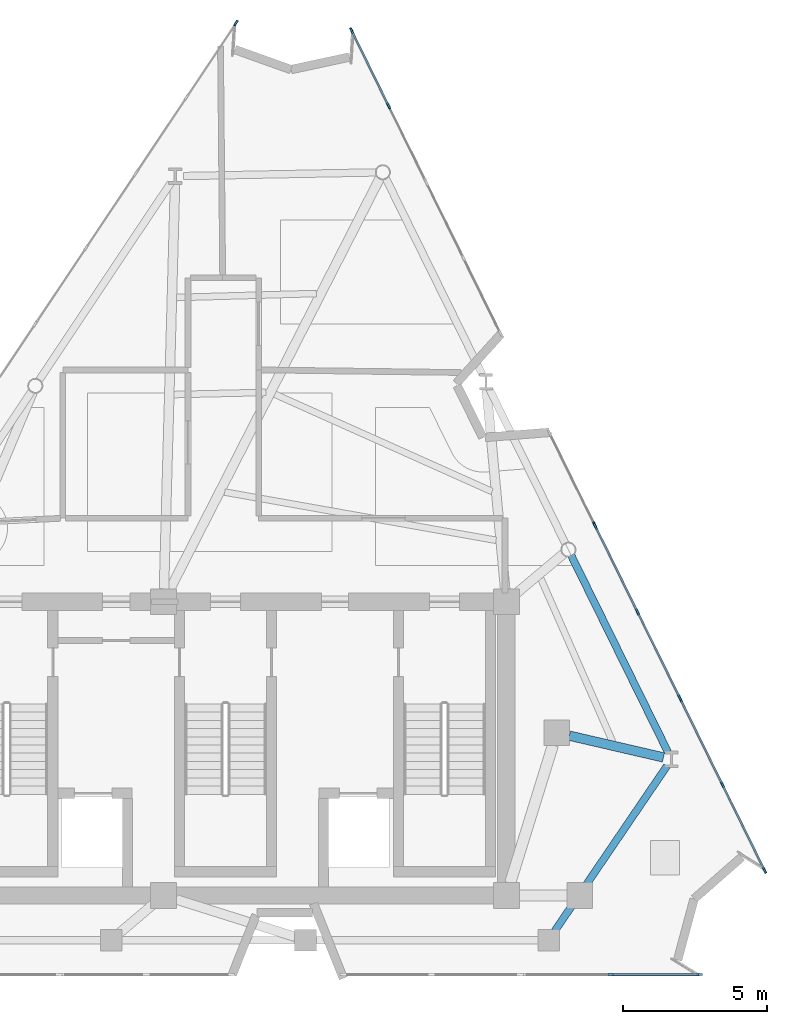
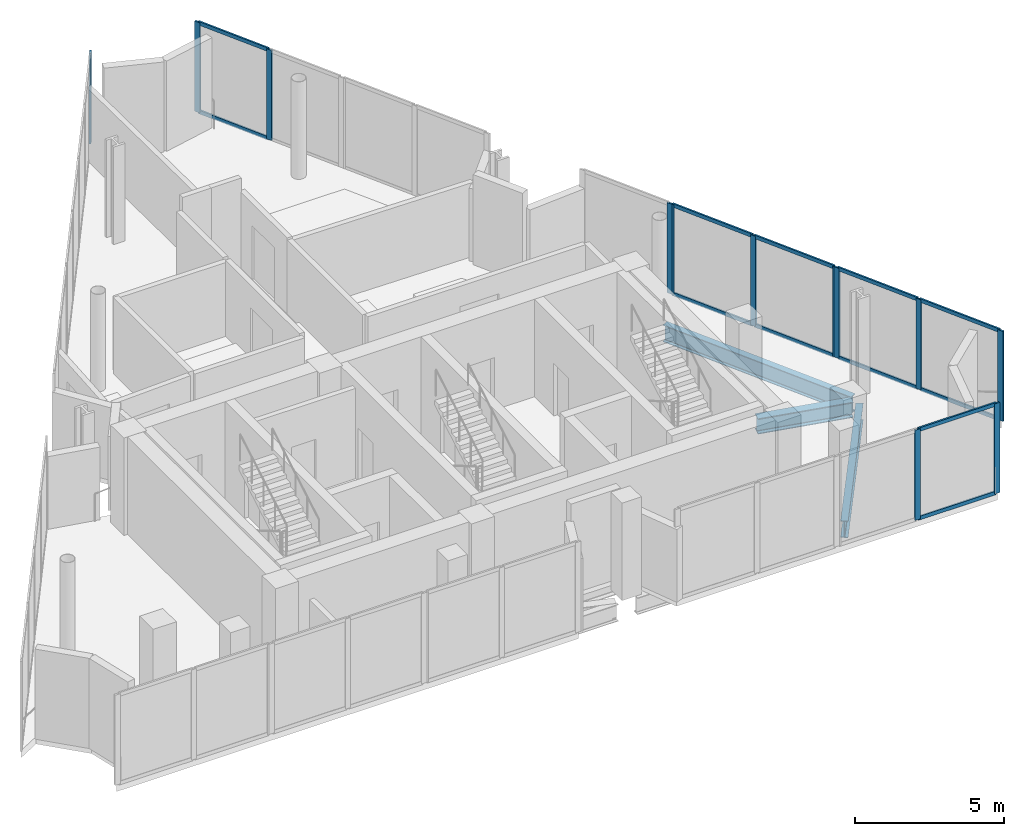
# One storey, part 4 of 9: 24 members, 3 beams, 6 elements without a shape of their own.
"""IFC4 building model written with IfcOpenShell, lengths in metres."""

from ifc_helpers import new_model, si_unit, direction, frame, origin, origin_2d, place, context, subcontext, project, spatial, rectangle, i_section, extrude, material, layer, layer_set, material_profile, profile_set, type_object, element, aggregate, save


model = new_model("IFC4")

# Units and contexts
model_context = context("Model", 3, precision=1e-05, world=origin(), true_north=direction((0.0, 1.0)))
body_context = subcontext(model_context, "Body", "Model", "MODEL_VIEW")
ifc_project = project(units=[si_unit("LENGTHUNIT", "METRE"), si_unit("AREAUNIT", "SQUARE_METRE"), si_unit("VOLUMEUNIT", "CUBIC_METRE"), si_unit("PLANEANGLEUNIT", "RADIAN"), si_unit("MASSUNIT", "GRAM", prefix="KILO")], contexts=[model_context])

# Site, building, storey
site_placement = place(None, origin())
site = spatial("IfcSite", under=ifc_project, at=site_placement, CompositionType="ELEMENT")
building_placement = place(site_placement, origin())
building = spatial("IfcBuilding", under=site, at=building_placement, Name="Almagre Mirador Tower", CompositionType="ELEMENT")
storey_placement = place(building_placement, frame((0.0, 0.0, 302.5)))
storey = spatial("IfcBuildingStorey", under=building, at=storey_placement, Name="L78", CompositionType="ELEMENT", Elevation=302.5)

# Beams
ifc_material_1 = material(Name="Steel ASTM A992 Grade 50", Category="steel")
ifc_material_profile_1 = material_profile(ifc_material_1, i_section(OverallWidth=0.256103515625, OverallDepth=0.693115234375, WebThickness=0.014404296875, FlangeThickness=0.023681640625, FilletRadius=0.02197265625, at=origin_2d()), Name="W27X114")
ifc_profile_set_1 = profile_set([ifc_material_profile_1], Name="Steel ASTM A992 Grade 50")
beam_type_1 = type_object("IfcBeamType", Name="BM-SPN-W27X114", PredefinedType="SPANDREL", material=ifc_profile_set_1)
beam_1_placement = place(storey_placement, frame((48.726806640625, 3.31005859375, -0.646484375), z_axis=(0.562316764755, 0.826921916553, 0.0), x_axis=(-0.826921916553, 0.562316764755, 0.0)))
element("IfcBeam", 1, at=beam_1_placement, inside=storey, type_object=beam_type_1, Name="L78 perimeter spandrel beam PC04-PC05", PredefinedType="SPANDREL", context=body_context, shape_type="SweptSolid", body=[
    extrude(i_section(OverallWidth=0.256103515625, OverallDepth=0.693115234375, WebThickness=0.014404296875, FlangeThickness=0.023681640625, FilletRadius=0.02197265625, at=origin_2d()), origin(), (0.0, 0.0, 1.0), 6.931884765625),
])
beam_2_placement = place(storey_placement, frame((52.6591796875, 9.53369140625, -0.646484375), z_axis=(-0.441286188915, 0.897366424306, 0.0), x_axis=(-0.897366424306, -0.441286188915, 0.0)))
element("IfcBeam", 2, at=beam_2_placement, inside=storey, type_object=beam_type_1, Name="L78 perimeter spandrel beam PC05-PC06", PredefinedType="SPANDREL", context=body_context, shape_type="SweptSolid", body=[
    extrude(i_section(OverallWidth=0.256103515625, OverallDepth=0.693115234375, WebThickness=0.014404296875, FlangeThickness=0.023681640625, FilletRadius=0.02197265625, at=origin_2d()), origin(), (0.0, 0.0, 1.0), 7.607666015625),
])
ifc_material_2 = material(Name="Steel ASTM A992 Grade 50", Category="steel")
ifc_material_profile_2 = material_profile(ifc_material_2, i_section(OverallWidth=0.330078125, OverallDepth=0.635009765625, WebThickness=0.017822265625, FlangeThickness=0.031005859375, FilletRadius=0.02001953125, at=origin_2d()), Name="W24X162")
ifc_profile_set_2 = profile_set([ifc_material_profile_2], Name="Steel ASTM A992 Grade 50")
beam_type_2 = type_object("IfcBeamType", Name="BM-STL-W24X162", PredefinedType="BEAM", material=ifc_profile_set_2)
beam_3_placement = place(storey_placement, frame((52.50732421875, 9.34228515625, -0.617431640625), z_axis=(-0.974263503656, 0.225412123549, 0.0), x_axis=(-0.225412123549, -0.974263503656, 0.0)))
element("IfcBeam", 3, at=beam_3_placement, inside=storey, type_object=beam_type_2, Name="L78 radial floor girder PC05-MC3", PredefinedType="BEAM", context=body_context, shape_type="SweptSolid", body=[
    extrude(i_section(OverallWidth=0.330078125, OverallDepth=0.635009765625, WebThickness=0.017822265625, FlangeThickness=0.031005859375, FilletRadius=0.02001953125, at=origin_2d()), origin(), (0.0, 0.0, 1.0), 3.35546875),
])

# Curtain wall, member
ifc_material_3 = material(Name="Black anodized aluminium", Category="aluminium")
ifc_layer = layer(ifc_material_3, 0.2099609375)
ifc_layer_set = layer_set([ifc_layer], Name="Black anodized aluminium")
curtain_wall_type = type_object("IfcCurtainWallType", Name="CW-CRN-SYS", PredefinedType="NOTDEFINED", material=ifc_layer_set)
curtain_wall_1_placement = place(storey_placement, origin())
curtain_wall_1 = element("IfcCurtainWall", 4, at=curtain_wall_1_placement, inside=storey, type_object=curtain_wall_type, Name="L78 curtain wall run 05", PredefinedType="NOTDEFINED")
ifc_material_4 = material(Name="Black anodized aluminium", Category="aluminium")
ifc_material_profile_3 = material_profile(ifc_material_4, rectangle(XDim=0.070068359375, YDim=0.2099609375, at=origin_2d()), Name="CWM70X210")
ifc_profile_set_3 = profile_set([ifc_material_profile_3], Name="Black anodized aluminium")
member_type_1 = type_object("IfcMemberType", Name="MBR-CWM70X210", PredefinedType="MULLION", material=ifc_profile_set_3)
member_1_placement = place(storey_placement, frame((37.659423828125, 34.84375, 0.0), z_axis=(0.0, 0.0, 1.0), x_axis=(-0.831682710504, 0.55525117654, 0.0)))
member_1 = element("IfcMember", 5, at=member_1_placement, type_object=member_type_1, Name="CW-6 mullion 3", PredefinedType="MULLION", context=body_context, shape_type="SweptSolid", body=[
    extrude(rectangle(XDim=0.070068359375, YDim=0.2099609375, at=origin_2d()), origin(), (0.0, 0.0, 1.0), 3.699951171875),
])
aggregate(curtain_wall_1, [member_1])

# Curtain wall, members
curtain_wall_2_placement = place(storey_placement, origin())
curtain_wall_2 = element("IfcCurtainWall", 6, at=curtain_wall_2_placement, inside=storey, type_object=curtain_wall_type, Name="L78 curtain wall run 06", PredefinedType="NOTDEFINED")
member_2_placement = place(storey_placement, frame((41.6806640625, 34.579345703125, 0.0), z_axis=(0.0, 0.0, 1.0), x_axis=(0.897362755579, 0.441293649286, 0.0)))
member_2 = element("IfcMember", 7, at=member_2_placement, type_object=member_type_1, Name="CW-6 mullion 1", PredefinedType="MULLION", context=body_context, shape_type="SweptSolid", body=[
    extrude(rectangle(XDim=0.070068359375, YDim=0.2099609375, at=origin_2d()), origin(), (0.0, 0.0, 1.0), 3.699951171875),
])
member_3_placement = place(storey_placement, frame((42.96435546875, 31.968994140625, 0.0), z_axis=(0.0, 0.0, 1.0), x_axis=(0.897362755579, 0.441293649286, 0.0)))
member_3 = element("IfcMember", 8, at=member_3_placement, type_object=member_type_1, Name="CW-6 mullion 2", PredefinedType="MULLION", context=body_context, shape_type="SweptSolid", body=[
    extrude(rectangle(XDim=0.070068359375, YDim=0.2099609375, at=origin_2d()), origin(), (0.0, 0.0, 1.0), 3.699951171875),
])

# Curtain wall, member
curtain_wall_3_placement = place(storey_placement, origin())
curtain_wall_3 = element("IfcCurtainWall", 9, at=curtain_wall_3_placement, inside=storey, type_object=curtain_wall_type, Name="L78 curtain wall run 08", PredefinedType="NOTDEFINED")
member_4_placement = place(storey_placement, frame((50.11328125, 17.431396484375, 0.0), z_axis=(0.0, 0.0, 1.0), x_axis=(0.897372130823, 0.441274584384, 0.0)))
member_4 = element("IfcMember", 10, at=member_4_placement, type_object=member_type_1, Name="CW-6 mullion 2", PredefinedType="MULLION", context=body_context, shape_type="SweptSolid", body=[
    extrude(rectangle(XDim=0.070068359375, YDim=0.2099609375, at=origin_2d()), origin(), (0.0, 0.0, 1.0), 3.699951171875),
])
aggregate(curtain_wall_3, [member_4])

# Curtain wall, members
curtain_wall_4_placement = place(storey_placement, origin())
curtain_wall_4 = element("IfcCurtainWall", 11, at=curtain_wall_4_placement, inside=storey, type_object=curtain_wall_type, Name="L78 curtain wall run 09", PredefinedType="NOTDEFINED")
member_5_placement = place(storey_placement, frame((50.144287109375, 17.36865234375, 0.0), z_axis=(0.0, 0.0, 1.0), x_axis=(0.897378097343, 0.441262450712, 0.0)))
member_5 = element("IfcMember", 12, at=member_5_placement, type_object=member_type_1, Name="CW-6 mullion 1", PredefinedType="MULLION", context=body_context, shape_type="SweptSolid", body=[
    extrude(rectangle(XDim=0.070068359375, YDim=0.2099609375, at=origin_2d()), origin(), (0.0, 0.0, 1.0), 3.699951171875),
])
member_6_placement = place(storey_placement, frame((51.605224609375, 14.397216796875, 0.0), z_axis=(0.0, 0.0, 1.0), x_axis=(0.897378097343, 0.441262450712, 0.0)))
member_6 = element("IfcMember", 13, at=member_6_placement, type_object=member_type_1, Name="CW-6 mullion 2", PredefinedType="MULLION", context=body_context, shape_type="SweptSolid", body=[
    extrude(rectangle(XDim=0.070068359375, YDim=0.2099609375, at=origin_2d()), origin(), (0.0, 0.0, 1.0), 3.699951171875),
])
member_7_placement = place(storey_placement, frame((53.06640625, 11.426025390625, 0.0), z_axis=(0.0, 0.0, 1.0), x_axis=(0.897378097343, 0.441262450712, 0.0)))
member_7 = element("IfcMember", 14, at=member_7_placement, type_object=member_type_1, Name="CW-6 mullion 3", PredefinedType="MULLION", context=body_context, shape_type="SweptSolid", body=[
    extrude(rectangle(XDim=0.070068359375, YDim=0.2099609375, at=origin_2d()), origin(), (0.0, 0.0, 1.0), 3.699951171875),
])

curtain_wall_5_placement = place(storey_placement, origin())
curtain_wall_5 = element("IfcCurtainWall", 15, at=curtain_wall_5_placement, inside=storey, type_object=curtain_wall_type, Name="L78 curtain wall run 10", PredefinedType="NOTDEFINED")
member_8_placement = place(storey_placement, frame((53.09716796875, 11.36328125, 0.0), z_axis=(0.0, 0.0, 1.0), x_axis=(0.897372180244, 0.44127448388, 0.0)))
member_8 = element("IfcMember", 16, at=member_8_placement, type_object=member_type_1, Name="CW-6 mullion 1", PredefinedType="MULLION", context=body_context, shape_type="SweptSolid", body=[
    extrude(rectangle(XDim=0.070068359375, YDim=0.2099609375, at=origin_2d()), origin(), (0.0, 0.0, 1.0), 3.699951171875),
])
member_9_placement = place(storey_placement, frame((54.558349609375, 8.391845703125, 0.0), z_axis=(0.0, 0.0, 1.0), x_axis=(0.897372180244, 0.44127448388, 0.0)))
member_9 = element("IfcMember", 17, at=member_9_placement, type_object=member_type_1, Name="CW-6 mullion 2", PredefinedType="MULLION", context=body_context, shape_type="SweptSolid", body=[
    extrude(rectangle(XDim=0.070068359375, YDim=0.2099609375, at=origin_2d()), origin(), (0.0, 0.0, 1.0), 3.699951171875),
])
member_10_placement = place(storey_placement, frame((56.01953125, 5.420654296875, 0.0), z_axis=(0.0, 0.0, 1.0), x_axis=(0.897372180244, 0.44127448388, 0.0)))
member_10 = element("IfcMember", 18, at=member_10_placement, type_object=member_type_1, Name="CW-6 mullion 3", PredefinedType="MULLION", context=body_context, shape_type="SweptSolid", body=[
    extrude(rectangle(XDim=0.070068359375, YDim=0.2099609375, at=origin_2d()), origin(), (0.0, 0.0, 1.0), 3.699951171875),
])

curtain_wall_6_placement = place(storey_placement, origin())
curtain_wall_6 = element("IfcCurtainWall", 19, at=curtain_wall_6_placement, inside=storey, type_object=curtain_wall_type, Name="L78 curtain wall run 11", PredefinedType="NOTDEFINED")
member_11_placement = place(storey_placement, frame((53.764892578125, 1.800048828125, 0.0), z_axis=(0.0, 0.0, 1.0), x_axis=(0.0, -1.0, 0.0)))
member_11 = element("IfcMember", 20, at=member_11_placement, type_object=member_type_1, Name="CW-6 mullion 1", PredefinedType="MULLION", context=body_context, shape_type="SweptSolid", body=[
    extrude(rectangle(XDim=0.070068359375, YDim=0.2099609375, at=origin_2d()), origin(), (0.0, 0.0, 1.0), 3.699951171875),
])
member_12_placement = place(storey_placement, frame((50.683837890625, 1.800048828125, 0.0), z_axis=(0.0, 0.0, 1.0), x_axis=(0.0, -1.0, 0.0)))
member_12 = element("IfcMember", 21, at=member_12_placement, type_object=member_type_1, Name="CW-6 mullion 2", PredefinedType="MULLION", context=body_context, shape_type="SweptSolid", body=[
    extrude(rectangle(XDim=0.070068359375, YDim=0.2099609375, at=origin_2d()), origin(), (0.0, 0.0, 1.0), 3.699951171875),
])

# Member
ifc_material_5 = material(Name="Black anodized aluminium", Category="aluminium")
ifc_material_profile_4 = material_profile(ifc_material_5, rectangle(XDim=0.06494140625, YDim=0.14990234375, at=origin_2d()), Name="CWT65X150")
ifc_profile_set_4 = profile_set([ifc_material_profile_4], Name="Black anodized aluminium")
member_type_2 = type_object("IfcMemberType", Name="MBR-CWT65X150", PredefinedType="USERDEFINED", material=ifc_profile_set_4)
member_13_placement = place(storey_placement, frame((41.696044921875, 34.548095703125, 0.032470703125), z_axis=(0.441287872752, -0.897365596266, 0.0), x_axis=(0.897365596266, 0.441287872752, 0.0)))
member_13 = element("IfcMember", 22, at=member_13_placement, type_object=member_type_2, Name="CW-6 transom 1.1", ObjectType="TRANSOM", PredefinedType="USERDEFINED", context=body_context, shape_type="SweptSolid", body=[
    extrude(rectangle(XDim=0.06494140625, YDim=0.14990234375, at=origin_2d()), origin(), (0.0, 0.0, 1.0), 2.83935546875),
])

member_14_placement = place(storey_placement, frame((41.696044921875, 34.548095703125, 3.66748046875), z_axis=(0.441287872752, -0.897365596266, 0.0), x_axis=(0.897365596266, 0.441287872752, 0.0)))
member_14 = element("IfcMember", 23, at=member_14_placement, type_object=member_type_2, Name="CW-6 transom 1.2", ObjectType="TRANSOM", PredefinedType="USERDEFINED", context=body_context, shape_type="SweptSolid", body=[
    extrude(rectangle(XDim=0.06494140625, YDim=0.14990234375, at=origin_2d()), origin(), (0.0, 0.0, 1.0), 2.83935546875),
])

aggregate(curtain_wall_2, [member_2, member_3, member_13, member_14])

member_15_placement = place(storey_placement, frame((50.15966796875, 17.337158203125, 0.032470703125), z_axis=(0.441267947631, -0.897375394355, 0.0), x_axis=(0.897375394355, 0.441267947631, 0.0)))
member_15 = element("IfcMember", 24, at=member_15_placement, type_object=member_type_2, Name="CW-6 transom 1.1", ObjectType="TRANSOM", PredefinedType="USERDEFINED", context=body_context, shape_type="SweptSolid", body=[
    extrude(rectangle(XDim=0.06494140625, YDim=0.14990234375, at=origin_2d()), origin(), (0.0, 0.0, 1.0), 3.240966796875),
])

member_16_placement = place(storey_placement, frame((50.15966796875, 17.337158203125, 3.66748046875), z_axis=(0.441267947631, -0.897375394355, 0.0), x_axis=(0.897375394355, 0.441267947631, 0.0)))
member_16 = element("IfcMember", 25, at=member_16_placement, type_object=member_type_2, Name="CW-6 transom 1.2", ObjectType="TRANSOM", PredefinedType="USERDEFINED", context=body_context, shape_type="SweptSolid", body=[
    extrude(rectangle(XDim=0.06494140625, YDim=0.14990234375, at=origin_2d()), origin(), (0.0, 0.0, 1.0), 3.240966796875),
])

member_17_placement = place(storey_placement, frame((51.620849609375, 14.365966796875, 0.032470703125), z_axis=(0.441267947631, -0.897375394355, 0.0), x_axis=(0.897375394355, 0.441267947631, 0.0)))
member_17 = element("IfcMember", 26, at=member_17_placement, type_object=member_type_2, Name="CW-6 transom 2.1", ObjectType="TRANSOM", PredefinedType="USERDEFINED", context=body_context, shape_type="SweptSolid", body=[
    extrude(rectangle(XDim=0.06494140625, YDim=0.14990234375, at=origin_2d()), origin(), (0.0, 0.0, 1.0), 3.240966796875),
])

member_18_placement = place(storey_placement, frame((51.620849609375, 14.365966796875, 3.66748046875), z_axis=(0.441267947631, -0.897375394355, 0.0), x_axis=(0.897375394355, 0.441267947631, 0.0)))
member_18 = element("IfcMember", 27, at=member_18_placement, type_object=member_type_2, Name="CW-6 transom 2.2", ObjectType="TRANSOM", PredefinedType="USERDEFINED", context=body_context, shape_type="SweptSolid", body=[
    extrude(rectangle(XDim=0.06494140625, YDim=0.14990234375, at=origin_2d()), origin(), (0.0, 0.0, 1.0), 3.240966796875),
])

aggregate(curtain_wall_4, [member_5, member_6, member_7, member_15, member_16, member_17, member_18])

member_19_placement = place(storey_placement, frame((53.11279296875, 11.331787109375, 0.032470703125), z_axis=(0.441267947631, -0.897375394355, 0.0), x_axis=(0.897375394355, 0.441267947631, 0.0)))
member_19 = element("IfcMember", 28, at=member_19_placement, type_object=member_type_2, Name="CW-6 transom 1.1", ObjectType="TRANSOM", PredefinedType="USERDEFINED", context=body_context, shape_type="SweptSolid", body=[
    extrude(rectangle(XDim=0.06494140625, YDim=0.14990234375, at=origin_2d()), origin(), (0.0, 0.0, 1.0), 3.240966796875),
])

member_20_placement = place(storey_placement, frame((53.11279296875, 11.331787109375, 3.66748046875), z_axis=(0.441267947631, -0.897375394355, 0.0), x_axis=(0.897375394355, 0.441267947631, 0.0)))
member_20 = element("IfcMember", 29, at=member_20_placement, type_object=member_type_2, Name="CW-6 transom 1.2", ObjectType="TRANSOM", PredefinedType="USERDEFINED", context=body_context, shape_type="SweptSolid", body=[
    extrude(rectangle(XDim=0.06494140625, YDim=0.14990234375, at=origin_2d()), origin(), (0.0, 0.0, 1.0), 3.240966796875),
])

member_21_placement = place(storey_placement, frame((54.57373046875, 8.360595703125, 0.032470703125), z_axis=(0.441238121031, -0.897390060425, 0.0), x_axis=(0.897390060425, 0.441238121031, 0.0)))
member_21 = element("IfcMember", 30, at=member_21_placement, type_object=member_type_2, Name="CW-6 transom 2.1", ObjectType="TRANSOM", PredefinedType="USERDEFINED", context=body_context, shape_type="SweptSolid", body=[
    extrude(rectangle(XDim=0.06494140625, YDim=0.14990234375, at=origin_2d()), origin(), (0.0, 0.0, 1.0), 3.2412109375),
])

member_22_placement = place(storey_placement, frame((54.57373046875, 8.360595703125, 3.66748046875), z_axis=(0.441238121031, -0.897390060425, 0.0), x_axis=(0.897390060425, 0.441238121031, 0.0)))
member_22 = element("IfcMember", 31, at=member_22_placement, type_object=member_type_2, Name="CW-6 transom 2.2", ObjectType="TRANSOM", PredefinedType="USERDEFINED", context=body_context, shape_type="SweptSolid", body=[
    extrude(rectangle(XDim=0.06494140625, YDim=0.14990234375, at=origin_2d()), origin(), (0.0, 0.0, 1.0), 3.2412109375),
])

aggregate(curtain_wall_5, [member_8, member_9, member_10, member_19, member_20, member_21, member_22])

member_23_placement = place(storey_placement, frame((53.729736328125, 1.800048828125, 0.032470703125), z_axis=(-1.0, 0.0, 0.0), x_axis=(0.0, -1.0, 0.0)))
member_23 = element("IfcMember", 32, at=member_23_placement, type_object=member_type_2, Name="CW-6 transom 1.1", ObjectType="TRANSOM", PredefinedType="USERDEFINED", context=body_context, shape_type="SweptSolid", body=[
    extrude(rectangle(XDim=0.06494140625, YDim=0.14990234375, at=origin_2d()), origin(), (0.0, 0.0, 1.0), 3.0107421875),
])

member_24_placement = place(storey_placement, frame((53.729736328125, 1.800048828125, 3.66748046875), z_axis=(-1.0, 0.0, 0.0), x_axis=(0.0, -1.0, 0.0)))
member_24 = element("IfcMember", 33, at=member_24_placement, type_object=member_type_2, Name="CW-6 transom 1.2", ObjectType="TRANSOM", PredefinedType="USERDEFINED", context=body_context, shape_type="SweptSolid", body=[
    extrude(rectangle(XDim=0.06494140625, YDim=0.14990234375, at=origin_2d()), origin(), (0.0, 0.0, 1.0), 3.0107421875),
])

aggregate(curtain_wall_6, [member_11, member_12, member_23, member_24])

save(model, "model.ifc")
